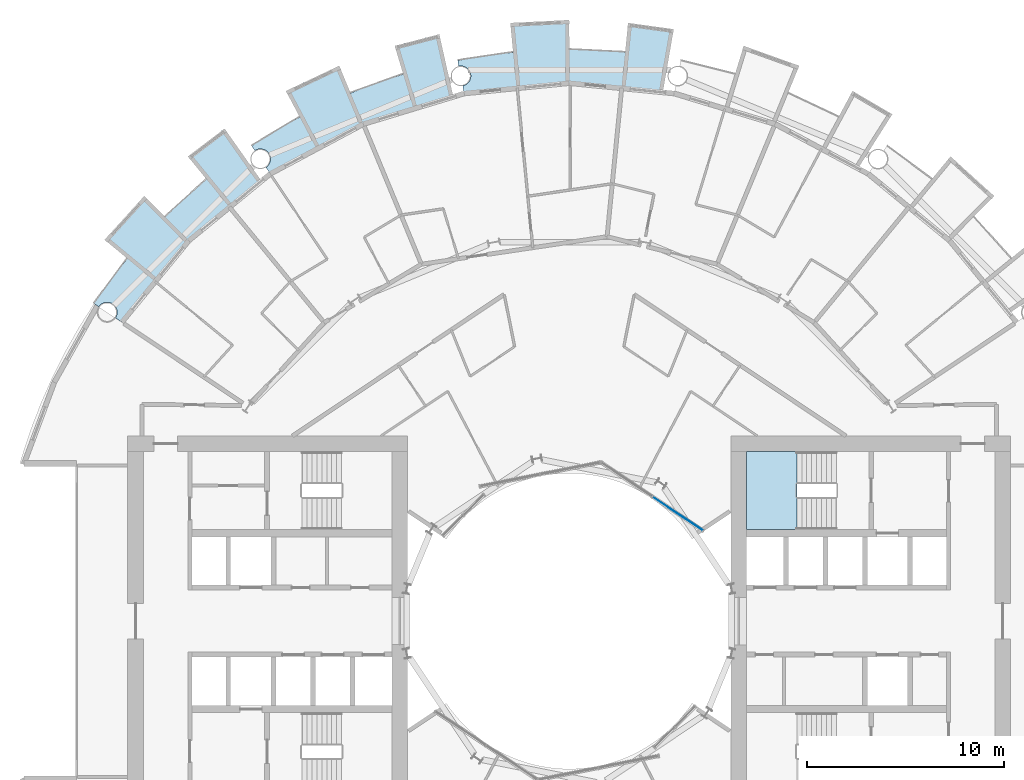
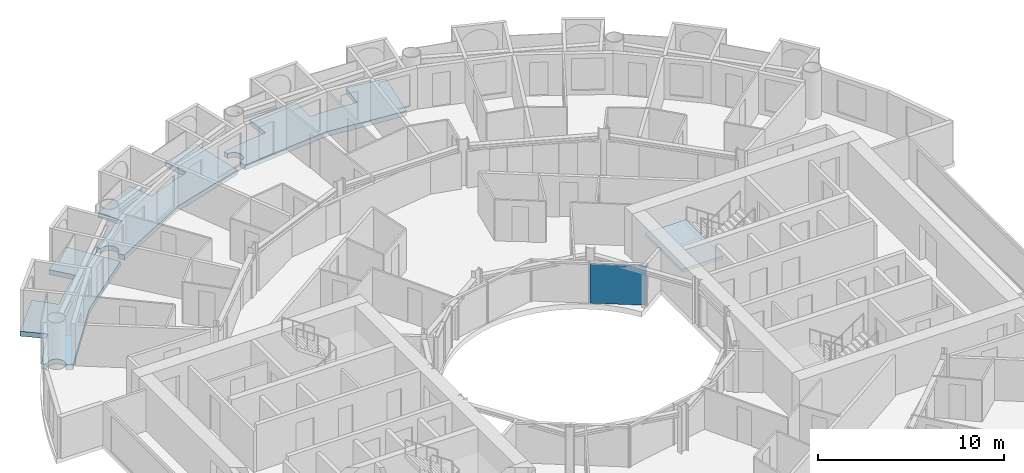
# One storey, part 11 of 26: 4 slabs, 1 plate, 2 elements without a shape of their own.
"""IFC4 building model written with IfcOpenShell, lengths in metres."""

import ifcopenshell
import ifcopenshell.guid

model = None  # the IFC model being written
_history = None  # IfcOwnerHistory: only IFC2X3 demands one
_inside = {}  # id of a spatial element -> (the spatial element, [elements in it])
_under = {}  # id of a project, library or spatial element -> (it, [spatial elements below it])
_declared = {}  # id of a project -> (the project, [libraries it declares])
_typed = {}  # id of a type object -> (the type object, [elements of that type])
_made_of = {}  # id of a material, layer set ... -> (it, [elements and type objects made of it])


def new_model(schema):
    """Start an empty IFC model of exactly this schema.

    Asked for "IFC4X3", IfcOpenShell would pick the latest addendum, in which some entities
    have other attributes; the version numbers below select the first issue.
    IFC2X3 requires an IfcOwnerHistory on every rooted entity: one is made here for all.
    """
    global model, _history
    if schema == "IFC4X3":
        model = ifcopenshell.file(schema_version=(4, 3, 0, 0))
    else:
        model = ifcopenshell.file(schema=schema)
    _inside.clear()
    _under.clear()
    _declared.clear()
    _typed.clear()
    _made_of.clear()
    _history = None
    if model.schema == "IFC2X3":
        org = make("IfcOrganization", Name="unknown")
        user = make(
            "IfcPersonAndOrganization",
            ThePerson=make("IfcPerson", FamilyName="unknown"),
            TheOrganization=org,
        )
        app = make(
            "IfcApplication",
            ApplicationDeveloper=org,
            Version="unknown",
            ApplicationFullName="unknown",
            ApplicationIdentifier="unknown",
        )
        _history = make(
            "IfcOwnerHistory",
            OwningUser=user,
            OwningApplication=app,
            ChangeAction="ADDED",
            CreationDate=0,
        )
    return model


def make(cls, **values):
    """One entity of the class cls with the attributes given. An attribute that is None is left unset."""
    return model.create_entity(
        cls, **{name: value for name, value in values.items() if value is not None}
    )


def rooted(cls, **values):
    """An entity with a GlobalId (a new one), such as an element, a storey or a relation."""
    return make(cls, GlobalId=ifcopenshell.guid.new(), OwnerHistory=_history, **values)


def si_unit(unit_type, name, prefix=None):
    """IfcSIUnit, for example si_unit("LENGTHUNIT", "METRE", prefix="MILLI")."""
    return make("IfcSIUnit", UnitType=unit_type, Prefix=prefix, Name=name)


def assignment(units):
    """IfcUnitAssignment: the units of a project."""
    return None if units is None else make("IfcUnitAssignment", Units=units)


def point(xyz):
    """IfcCartesianPoint."""
    return None if xyz is None else make("IfcCartesianPoint", Coordinates=xyz)


def direction(xyz):
    """IfcDirection."""
    return None if xyz is None else make("IfcDirection", DirectionRatios=xyz)


def frame(location, z_axis=None, x_axis=None):
    """IfcAxis2Placement3D, a coordinate frame: its origin and axes. An axis left out is left unset."""
    return make(
        "IfcAxis2Placement3D",
        Location=point(location),
        Axis=direction(z_axis),
        RefDirection=direction(x_axis),
    )


def frame_2d(location, x_axis=None):
    """IfcAxis2Placement2D, a coordinate frame in the plane: its origin and x axis."""
    return make(
        "IfcAxis2Placement2D", Location=point(location), RefDirection=direction(x_axis)
    )


def origin():
    """The frame at (0, 0, 0) with its axes left unset."""
    return frame((0.0, 0.0, 0.0))


def origin_2d():
    """The frame at (0, 0) in the plane with its x axis left unset."""
    return frame_2d((0.0, 0.0))


def place(relative_to, where):
    """IfcLocalPlacement: puts the frame where relative to a parent placement (None: the world)."""
    return make(
        "IfcLocalPlacement", PlacementRelTo=relative_to, RelativePlacement=where
    )


def context(
    kind, dimensions, precision=None, world=None, true_north=None, identifier=None
):
    """IfcGeometricRepresentationContext, for example the 3D "Model" context."""
    return make(
        "IfcGeometricRepresentationContext",
        ContextIdentifier=identifier,
        ContextType=kind,
        CoordinateSpaceDimension=dimensions,
        Precision=precision,
        WorldCoordinateSystem=world,
        TrueNorth=true_north,
    )


def subcontext(parent, identifier, kind, view, scale=None):
    """IfcGeometricRepresentationSubContext, for example "Body" below "Model"."""
    return make(
        "IfcGeometricRepresentationSubContext",
        ContextIdentifier=identifier,
        ContextType=kind,
        ParentContext=parent,
        TargetScale=scale,
        TargetView=view,
    )


def project(units=None, contexts=None):
    """IfcProject with its units and contexts."""
    return rooted(
        "IfcProject",
        Name="project",
        RepresentationContexts=contexts,
        UnitsInContext=assignment(units),
    )


def spatial(cls, under=None, at=None, **own):
    """A site, building, storey or space (cls), placed at a placement, below another one or the project."""
    s = rooted(cls, ObjectPlacement=at, **own)
    if under is not None:
        _under.setdefault(under.id(), (under, []))[1].append(s)
    return s


def polyline(points):
    """IfcPolyline through the points."""
    return make("IfcPolyline", Points=[point(p) for p in points])


def profile(cls, at=None, kind="AREA", **sizes):
    """A parametric profile (cls). Its sizes go by their IFC names, for example OverallWidth=200.0."""
    return make(cls, ProfileType=kind, Position=at, **sizes)


def rectangle(**sizes):
    """IfcRectangleProfileDef."""
    return profile("IfcRectangleProfileDef", **sizes)


def outline(outer, holes=None, kind="AREA"):
    """IfcArbitraryClosedProfileDef: a profile drawn as a closed curve; with holes, ...WithVoids."""
    if holes is None:
        return make("IfcArbitraryClosedProfileDef", ProfileType=kind, OuterCurve=outer)
    return make(
        "IfcArbitraryProfileDefWithVoids",
        ProfileType=kind,
        OuterCurve=outer,
        InnerCurves=holes,
    )


def extrude(swept, where, along, depth):
    """IfcExtrudedAreaSolid: the profile swept, set in the frame where, extruded along a direction by depth."""
    return make(
        "IfcExtrudedAreaSolid",
        SweptArea=swept,
        Position=where,
        ExtrudedDirection=direction(along),
        Depth=depth,
    )


def shape(context_of_items, identifier, shape_type, items):
    """IfcShapeRepresentation: the items that make up one representation, for example the "Body"."""
    return make(
        "IfcShapeRepresentation",
        ContextOfItems=context_of_items,
        RepresentationIdentifier=identifier,
        RepresentationType=shape_type,
        Items=items,
    )


def material(Name=None, Category=None):
    """IfcMaterial."""
    return make("IfcMaterial", Name=Name, Category=Category)


def layer(
    of_material, thickness, ventilated=None, Name=None, Category=None, Priority=None
):
    """IfcMaterialLayer: one layer of a wall or slab, of a material (None: an air gap)."""
    return make(
        "IfcMaterialLayer",
        Material=of_material,
        LayerThickness=thickness,
        IsVentilated=ventilated,
        Name=Name,
        Category=Category,
        Priority=Priority,
    )


def layer_set(layers, Name=None):
    """IfcMaterialLayerSet."""
    return make("IfcMaterialLayerSet", MaterialLayers=layers, LayerSetName=Name)


def made_of(thing, what):
    """Note that an element or type object is made of a material, layer set ...; save() writes the relation."""
    if what is not None:
        _made_of.setdefault(what.id(), (what, []))[1].append(thing)
    return thing


def type_object(cls, material=None, **own):
    """A type object (cls), such as IfcWallType, which elements share."""
    return made_of(rooted(cls, **own), material)


def element(
    cls,
    number,
    at=None,
    inside=None,
    cuts=None,
    type_object=None,
    material=None,
    context=None,
    identifier="Body",
    shape_type=None,
    held_by="IfcProductDefinitionShape",
    body=None,
    shapes=None,
    **own,
):
    """One element of the class cls, such as IfcWall. Its Tag is "e" and its number.

    at: its placement. inside: the storey or other place that contains it. cuts: it is an
    opening in that element (IfcRelVoidsElement). A single representation is given by context,
    identifier, shape_type and body (its items); several are given by shapes. held_by: the class
    of the entity that holds the representations. save() writes the other relations.
    """
    e = rooted(cls, Tag="e%d" % number, ObjectPlacement=at, **own)
    if body is not None:
        shapes = [shape(context, identifier, shape_type, body)]
    if shapes is not None:
        e.Representation = make(held_by, Representations=shapes)
    if inside is not None:
        _inside.setdefault(inside.id(), (inside, []))[1].append(e)
    if cuts is not None:
        rooted(
            "IfcRelVoidsElement", RelatingBuildingElement=cuts, RelatedOpeningElement=e
        )
    if type_object is not None:
        _typed.setdefault(type_object.id(), (type_object, []))[1].append(e)
    return made_of(e, material)


def aggregate(whole, parts):
    """IfcRelAggregates: a whole, such as a stair, and the parts it consists of."""
    return rooted("IfcRelAggregates", RelatingObject=whole, RelatedObjects=parts)


def save(model, path):
    """Write the relations noted so far, then the file.

    IfcRelAggregates (storeys below a building ...), IfcRelContainedInSpatialStructure (elements
    in a storey), IfcRelDefinesByType, IfcRelAssociatesMaterial and IfcRelDeclares: one each for
    every whole, place, type object, material and project.
    """
    for whole, parts in _under.values():
        aggregate(whole, parts)
    for where, things in _inside.values():
        rooted(
            "IfcRelContainedInSpatialStructure",
            RelatedElements=things,
            RelatingStructure=where,
        )
    for kind, things in _typed.values():
        rooted("IfcRelDefinesByType", RelatedObjects=things, RelatingType=kind)
    for what, things in _made_of.values():
        rooted("IfcRelAssociatesMaterial", RelatedObjects=things, RelatingMaterial=what)
    for by, libraries in _declared.values():
        rooted("IfcRelDeclares", RelatingContext=by, RelatedDefinitions=libraries)
    model.write(path)


model = new_model("IFC4")

# Units and contexts
model_context = context("Model", 3, precision=1e-05, world=origin(), true_north=direction((0.0, 1.0)))
body_context = subcontext(model_context, "Body", "Model", "MODEL_VIEW")
ifc_project = project(units=[si_unit("LENGTHUNIT", "METRE"), si_unit("AREAUNIT", "SQUARE_METRE"), si_unit("VOLUMEUNIT", "CUBIC_METRE"), si_unit("PLANEANGLEUNIT", "RADIAN"), si_unit("MASSUNIT", "GRAM", prefix="KILO")], contexts=[model_context])

# Site, building, storey
site_placement = place(None, origin())
site = spatial("IfcSite", under=ifc_project, at=site_placement, CompositionType="ELEMENT")
building_placement = place(site_placement, origin())
building = spatial("IfcBuilding", under=site, at=building_placement, Name="Maasbend Ring Residences", CompositionType="ELEMENT")
storey_placement = place(building_placement, frame((0.0, 0.0, 28.89990234375)))
storey = spatial("IfcBuildingStorey", under=building, at=storey_placement, Name="L07", CompositionType="ELEMENT", Elevation=28.89990234375)

# Stair, slab
ifc_material_1 = material(Name="Concrete C40/50", Category="concrete")
stair_type = type_object("IfcStairType", Name="CORE STAIR 18 RISERS", PredefinedType="HALF_TURN_STAIR", material=ifc_material_1)
stair_placement = place(storey_placement, origin())
stair = element("IfcStair", 1, at=stair_placement, inside=storey, type_object=stair_type, Name="L07 Exit stair ST-E1", PredefinedType="HALF_TURN_STAIR")
ifc_material_2 = material(Name="Concrete C40/50", Category="concrete")
ifc_layer_1 = layer(ifc_material_2, 0.199951171875)
ifc_layer_set_1 = layer_set([ifc_layer_1], Name="Concrete C40/50")
slab_type_1 = type_object("IfcSlabType", Name="CORE STAIR LANDING 200", PredefinedType="LANDING", material=ifc_layer_set_1)
slab_1_placement = place(storey_placement, frame((0.0, 0.0, 1.3251953125)))
slab_1 = element("IfcSlab", 2, at=slab_1_placement, type_object=slab_type_1, Name="ST-E1 landing 1", PredefinedType="LANDING", context=body_context, shape_type="SweptSolid", body=[
    extrude(outline(polyline([(11.550048828125, 8.60009765625), (9.0, 8.60009765625), (9.0, 4.64990234375), (11.550048828125, 4.64990234375), (11.550048828125, 8.60009765625)])), origin(), (0.0, 0.0, 1.0), 0.199951171875),
])
aggregate(stair, [slab_1])

# Curtain wall, plate
ifc_material_3 = material(Name="Aluminium and clear glass", Category="aluminium")
ifc_layer_2 = layer(ifc_material_3, 0.179931640625)
ifc_layer_set_2 = layer_set([ifc_layer_2], Name="CW-W")
curtain_wall_type = type_object("IfcCurtainWallType", Name="CW-W", PredefinedType="NOTDEFINED", material=ifc_layer_set_2)
curtain_wall_placement = place(storey_placement, origin())
curtain_wall = element("IfcCurtainWall", 3, at=curtain_wall_placement, inside=storey, type_object=curtain_wall_type, Name="Well curtain wall N1", PredefinedType="NOTDEFINED")
ifc_material_4 = material(Name="Glass clear laminated", Category="glass")
ifc_layer_3 = layer(ifc_material_4, 0.031982421875)
ifc_layer_set_3 = layer_set([ifc_layer_3], Name="CWP-W")
plate_type = type_object("IfcPlateType", Name="CWP-W", PredefinedType="CURTAIN_PANEL", material=ifc_layer_set_3)
plate_placement = place(storey_placement, frame((5.51123046875, 5.44580078125, 0.0), z_axis=(0.0, 0.0, 1.0), x_axis=(-0.831469612303, 0.55557023302, 0.0)))
plate = element("IfcPlate", 4, at=plate_placement, type_object=plate_type, Name="Glass panel well face", PredefinedType="CURTAIN_PANEL", context=body_context, shape_type="SweptSolid", body=[
    extrude(rectangle(XDim=3.053955078125, YDim=0.031982421875, at=origin_2d()), origin(), (0.0, 0.0, 1.0), 2.580078125),
])
aggregate(curtain_wall, [plate])

# Slabs
ifc_material_5 = material(Name="Concrete C40/50", Category="concrete")
ifc_layer_4 = layer(ifc_material_5, 0.199951171875)
ifc_layer_set_4 = layer_set([ifc_layer_4], Name="Concrete C40/50")
slab_type_2 = type_object("IfcSlabType", Name="SL-LOGGIA", PredefinedType="FLOOR", material=ifc_layer_set_4)
slab_2_placement = place(storey_placement, frame((0.0, 0.0, -0.349853515625)))
element("IfcSlab", 5, at=slab_2_placement, inside=storey, type_object=slab_type_2, Name="Loggia floor 1", PredefinedType="FLOOR", context=body_context, shape_type="SweptSolid", body=[
    extrude(outline(polyline([(-14.5, 25.114990234375), (-13.6708984375, 25.574951171875), (-13.6708984375, 25.575927734375), (-13.6708984375, 25.575927734375), (-13.6708984375, 25.575927734375), (-13.6708984375, 25.575927734375), (-13.6708984375, 25.575927734375), (-13.6708984375, 25.575927734375), (-13.6708984375, 25.575927734375), (-13.6708984375, 25.575927734375), (-13.6708984375, 25.575927734375), (-13.6708984375, 25.575927734375), (-13.6708984375, 25.575927734375), (-13.6708984375, 25.575927734375), (-13.6708984375, 25.575927734375), (-13.6708984375, 25.575927734375), (-13.6708984375, 25.575927734375), (-13.6708984375, 25.575927734375), (-14.3779296875, 26.89892578125), (-14.3779296875, 26.89892578125), (-14.3779296875, 26.89892578125), (-11.672119140625, 28.177978515625), (-11.672119140625, 28.177978515625), (-11.672119140625, 28.177978515625), (-11.097900390625, 26.79296875), (-11.097900390625, 26.79296875), (-11.097900390625, 26.79296875), (-11.097900390625, 26.79296875), (-11.097900390625, 26.79296875), (-11.097900390625, 26.79296875), (-11.097900390625, 26.79296875), (-11.097900390625, 26.79296875), (-11.097900390625, 26.79296875), (-11.097900390625, 26.79296875), (-11.097900390625, 26.79296875), (-11.097900390625, 26.79296875), (-11.097900390625, 26.79296875), (-11.097900390625, 26.79296875), (-11.096923828125, 26.79296875), (-11.096923828125, 26.79296875), (-11.096923828125, 26.79296875), (-10.215087890625, 27.14111328125), (-10.215087890625, 27.14111328125), (-9.322021484375, 27.4609375), (-9.322021484375, 27.4609375), (-8.4189453125, 27.7509765625), (-8.4189453125, 27.7509765625), (-8.4189453125, 27.7509765625), (-8.4189453125, 27.7509765625), (-8.4189453125, 27.7509765625), (-8.4189453125, 27.7509765625), (-8.41796875, 27.7509765625), (-8.41796875, 27.7509765625), (-8.41796875, 27.7509765625), (-8.41796875, 27.7509765625), (-8.41796875, 27.7509765625), (-8.41796875, 27.751953125), (-8.41796875, 27.751953125), (-8.41796875, 27.751953125), (-8.41796875, 27.751953125), (-8.41796875, 27.751953125), (-8.41796875, 27.751953125), (-8.85400390625, 29.18701171875), (-8.85400390625, 29.18701171875), (-8.85400390625, 29.18701171875), (-6.593994140625, 29.779052734375), (-6.593994140625, 29.779052734375), (-6.593994140625, 29.779052734375), (-5.89111328125, 26.60400390625), (-5.89111328125, 26.60400390625), (-5.89111328125, 26.60400390625), (-7.886962890625, 25.9990234375), (-10.447021484375, 25.221923828125), (-10.447021484375, 25.221923828125), (-10.447021484375, 25.221923828125), (-12.806884765625, 23.9609375), (-15.1669921875, 22.698974609375), (-15.1669921875, 22.698974609375), (-15.1669921875, 22.698974609375), (-15.385009765625, 23.02490234375), (-15.375, 23.031982421875), (-15.364013671875, 23.0390625), (-15.35498046875, 23.047119140625), (-15.344970703125, 23.054931640625), (-15.3349609375, 23.06298828125), (-15.325927734375, 23.071044921875), (-15.31689453125, 23.0791015625), (-15.30810546875, 23.087890625), (-15.299072265625, 23.096923828125), (-15.291015625, 23.10595703125), (-15.281982421875, 23.115966796875), (-15.27392578125, 23.125), (-15.26708984375, 23.135009765625), (-15.259033203125, 23.14501953125), (-15.251953125, 23.155029296875), (-15.2451171875, 23.1650390625), (-15.238037109375, 23.176025390625), (-15.23095703125, 23.18603515625), (-15.22509765625, 23.197021484375), (-15.218994140625, 23.2080078125), (-15.212890625, 23.218994140625), (-15.2080078125, 23.22998046875), (-15.202880859375, 23.241943359375), (-15.197998046875, 23.2529296875), (-15.193115234375, 23.264892578125), (-15.18896484375, 23.27587890625), (-15.18505859375, 23.2880859375), (-15.180908203125, 23.300048828125), (-15.177978515625, 23.31201171875), (-15.174072265625, 23.323974609375), (-15.1708984375, 23.3359375), (-15.1689453125, 23.347900390625), (-15.1669921875, 23.361083984375), (-15.1650390625, 23.373046875), (-15.1630859375, 23.385009765625), (-15.162109375, 23.39794921875), (-15.159912109375, 23.409912109375), (-15.159912109375, 23.422119140625), (-15.158935546875, 23.43505859375), (-15.158935546875, 23.447021484375), (-15.158935546875, 23.4599609375), (-15.159912109375, 23.471923828125), (-15.159912109375, 23.485107421875), (-15.162109375, 23.4970703125), (-15.1630859375, 23.510009765625), (-15.1650390625, 23.52197265625), (-15.1669921875, 23.533935546875), (-15.1689453125, 23.547119140625), (-15.1708984375, 23.55908203125), (-15.174072265625, 23.571044921875), (-15.177978515625, 23.5830078125), (-15.180908203125, 23.594970703125), (-15.18505859375, 23.60693359375), (-15.18896484375, 23.618896484375), (-15.193115234375, 23.6298828125), (-15.197998046875, 23.64208984375), (-15.202880859375, 23.653076171875), (-15.2080078125, 23.6650390625), (-15.212890625, 23.676025390625), (-15.218994140625, 23.68701171875), (-15.22509765625, 23.697998046875), (-15.23095703125, 23.708984375), (-15.238037109375, 23.718994140625), (-15.2451171875, 23.72998046875), (-15.251953125, 23.739990234375), (-15.259033203125, 23.75), (-15.26708984375, 23.760009765625), (-15.27392578125, 23.77001953125), (-15.281982421875, 23.779052734375), (-15.291015625, 23.7890625), (-15.299072265625, 23.798095703125), (-15.30810546875, 23.806884765625), (-15.31689453125, 23.81494140625), (-15.325927734375, 23.823974609375), (-15.3349609375, 23.83203125), (-15.344970703125, 23.840087890625), (-15.35498046875, 23.847900390625), (-15.364013671875, 23.85498046875), (-15.375, 23.863037109375), (-15.385009765625, 23.8701171875), (-15.39501953125, 23.876953125), (-15.406005859375, 23.883056640625), (-15.4169921875, 23.888916015625), (-15.427978515625, 23.89501953125), (-15.43896484375, 23.90087890625), (-15.449951171875, 23.906982421875), (-15.4609375, 23.912109375), (-15.472900390625, 23.9169921875), (-15.48388671875, 23.9208984375), (-15.49609375, 23.926025390625), (-15.508056640625, 23.929931640625), (-15.52001953125, 23.93408203125), (-15.531982421875, 23.93701171875), (-15.5439453125, 23.93994140625), (-15.555908203125, 23.943115234375), (-15.568115234375, 23.946044921875), (-15.580078125, 23.947998046875), (-15.593017578125, 23.949951171875), (-15.60498046875, 23.951904296875), (-15.616943359375, 23.952880859375), (-15.6298828125, 23.9541015625), (-15.64208984375, 23.955078125), (-15.655029296875, 23.955078125), (-15.6669921875, 23.955078125), (-15.679931640625, 23.955078125), (-15.69189453125, 23.955078125), (-15.7041015625, 23.9541015625), (-15.717041015625, 23.952880859375), (-15.72900390625, 23.951904296875), (-15.741943359375, 23.949951171875), (-15.75390625, 23.947998046875), (-15.76611328125, 23.946044921875), (-15.778076171875, 23.943115234375), (-15.791015625, 23.93994140625), (-15.802978515625, 23.93701171875), (-15.81494140625, 23.93408203125), (-15.825927734375, 23.929931640625), (-15.837890625, 23.926025390625), (-15.85009765625, 23.9208984375), (-15.862060546875, 23.9169921875), (-15.873046875, 23.912109375), (-15.884033203125, 23.906982421875), (-15.89599609375, 23.90087890625), (-15.906982421875, 23.89501953125), (-15.9169921875, 23.888916015625), (-15.927978515625, 23.883056640625), (-15.93896484375, 23.876953125), (-15.948974609375, 23.8701171875), (-16.112060546875, 24.113037109375), (-16.112060546875, 24.113037109375), (-16.112060546875, 24.113037109375), (-15.31396484375, 24.626953125), (-15.31396484375, 24.626953125), (-14.5, 25.114990234375), (-14.5, 25.114990234375)])), origin(), (0.0, 0.0, 1.0), 0.320068359375),
])
slab_3_placement = place(storey_placement, frame((0.0, 0.0, -0.349853515625)))
element("IfcSlab", 6, at=slab_3_placement, inside=storey, type_object=slab_type_2, Name="Loggia floor 3", PredefinedType="FLOOR", context=body_context, shape_type="SweptSolid", body=[
    extrude(outline(polyline([(-3.784912109375, 28.751953125), (-2.843017578125, 28.860107421875), (-2.843017578125, 28.860107421875), (-2.843017578125, 28.860107421875), (-2.843017578125, 28.860107421875), (-2.843017578125, 28.860107421875), (-2.843017578125, 28.860107421875), (-2.843017578125, 28.860107421875), (-2.843017578125, 28.860107421875), (-2.843017578125, 28.860107421875), (-2.843017578125, 28.861083984375), (-2.843017578125, 28.861083984375), (-2.843017578125, 28.861083984375), (-2.843017578125, 28.861083984375), (-2.843017578125, 28.861083984375), (-2.843017578125, 28.861083984375), (-2.843017578125, 28.861083984375), (-2.843017578125, 28.861083984375), (-2.989990234375, 30.35302734375), (-2.989990234375, 30.35302734375), (-2.989990234375, 30.35302734375), (0.0, 30.5), (0.0, 30.5), (0.0, 30.5), (0.0, 29.0), (0.0, 29.0), (0.0, 29.0), (0.0, 29.0), (0.0, 29.0), (0.0, 29.0), (0.0, 29.0), (0.0, 29.0), (0.0, 29.0), (0.0, 29.0), (0.0, 29.0), (0.0, 29.0), (0.0, 29.0), (0.0, 29.0), (0.0, 29.0), (0.0, 29.0), (0.0, 29.0), (0.948974609375, 28.98388671875), (0.948974609375, 28.98388671875), (1.89697265625, 28.93798828125), (1.89697265625, 28.93798828125), (2.842041015625, 28.860107421875), (2.842041015625, 28.860107421875), (2.842041015625, 28.860107421875), (2.842041015625, 28.860107421875), (2.842041015625, 28.860107421875), (2.842041015625, 28.860107421875), (2.842041015625, 28.860107421875), (2.842041015625, 28.860107421875), (2.842041015625, 28.861083984375), (2.842041015625, 28.861083984375), (2.842041015625, 28.861083984375), (2.842041015625, 28.861083984375), (2.842041015625, 28.861083984375), (2.843017578125, 28.861083984375), (2.843017578125, 28.861083984375), (2.843017578125, 28.861083984375), (2.843017578125, 28.861083984375), (2.989990234375, 30.35302734375), (2.989990234375, 30.35302734375), (2.989990234375, 30.35302734375), (5.303955078125, 30.034912109375), (5.303955078125, 30.034912109375), (5.303955078125, 30.034912109375), (4.739013671875, 26.8330078125), (4.739013671875, 26.8330078125), (4.739013671875, 26.8330078125), (2.6630859375, 27.0380859375), (0.0, 27.300048828125), (0.0, 27.300048828125), (0.0, 27.300048828125), (-2.6630859375, 27.0380859375), (-5.325927734375, 26.77490234375), (-5.325927734375, 26.77490234375), (-5.325927734375, 26.77490234375), (-5.402099609375, 27.159912109375), (-5.402099609375, 27.159912109375), (-5.389892578125, 27.162109375), (-5.3779296875, 27.1650390625), (-5.365966796875, 27.1689453125), (-5.35400390625, 27.172119140625), (-5.342041015625, 27.176025390625), (-5.330078125, 27.179931640625), (-5.319091796875, 27.18408203125), (-5.306884765625, 27.18896484375), (-5.2958984375, 27.194091796875), (-5.283935546875, 27.198974609375), (-5.27294921875, 27.2041015625), (-5.261962890625, 27.2099609375), (-5.2509765625, 27.216064453125), (-5.239990234375, 27.221923828125), (-5.22998046875, 27.22900390625), (-5.218994140625, 27.236083984375), (-5.208984375, 27.242919921875), (-5.198974609375, 27.25), (-5.18896484375, 27.258056640625), (-5.178955078125, 27.264892578125), (-5.169921875, 27.27294921875), (-5.159912109375, 27.281982421875), (-5.15087890625, 27.2900390625), (-5.14208984375, 27.299072265625), (-5.134033203125, 27.30810546875), (-5.125, 27.31689453125), (-5.116943359375, 27.325927734375), (-5.10888671875, 27.3359375), (-5.10107421875, 27.345947265625), (-5.093017578125, 27.35498046875), (-5.0859375, 27.365966796875), (-5.0791015625, 27.3759765625), (-5.072021484375, 27.385986328125), (-5.06591796875, 27.39697265625), (-5.05908203125, 27.407958984375), (-5.052978515625, 27.4189453125), (-5.048095703125, 27.429931640625), (-5.0419921875, 27.44091796875), (-5.037109375, 27.451904296875), (-5.031982421875, 27.464111328125), (-5.028076171875, 27.47509765625), (-5.02294921875, 27.487060546875), (-5.01904296875, 27.4990234375), (-5.014892578125, 27.510986328125), (-5.011962890625, 27.52294921875), (-5.009033203125, 27.534912109375), (-5.006103515625, 27.547119140625), (-5.0029296875, 27.55908203125), (-5.0009765625, 27.571044921875), (-4.9990234375, 27.583984375), (-4.9970703125, 27.595947265625), (-4.99609375, 27.60791015625), (-4.9951171875, 27.62109375), (-4.993896484375, 27.633056640625), (-4.993896484375, 27.64599609375), (-4.993896484375, 27.657958984375), (-4.993896484375, 27.6708984375), (-4.993896484375, 27.68310546875), (-4.9951171875, 27.695068359375), (-4.99609375, 27.7080078125), (-4.9970703125, 27.719970703125), (-4.9990234375, 27.73291015625), (-5.0009765625, 27.7451171875), (-5.0029296875, 27.757080078125), (-5.006103515625, 27.76904296875), (-5.009033203125, 27.781982421875), (-5.011962890625, 27.7939453125), (-5.014892578125, 27.805908203125), (-5.01904296875, 27.81689453125), (-5.02294921875, 27.8291015625), (-5.028076171875, 27.841064453125), (-5.031982421875, 27.85302734375), (-5.037109375, 27.864013671875), (-5.0419921875, 27.875), (-5.048095703125, 27.886962890625), (-5.052978515625, 27.89794921875), (-5.05908203125, 27.907958984375), (-5.06591796875, 27.9189453125), (-5.072021484375, 27.929931640625), (-5.0791015625, 27.93994140625), (-5.0859375, 27.950927734375), (-5.093017578125, 27.9609375), (-5.10107421875, 27.970947265625), (-5.10888671875, 27.97998046875), (-5.116943359375, 27.989990234375), (-5.125, 27.9990234375), (-5.134033203125, 28.008056640625), (-5.14208984375, 28.01708984375), (-5.15087890625, 28.02587890625), (-5.159912109375, 28.034912109375), (-5.169921875, 28.04296875), (-5.178955078125, 28.051025390625), (-5.18896484375, 28.05908203125), (-5.198974609375, 28.06591796875), (-5.208984375, 28.072998046875), (-5.218994140625, 28.080078125), (-5.22998046875, 28.0869140625), (-5.239990234375, 28.093994140625), (-5.2509765625, 28.10009765625), (-5.261962890625, 28.10595703125), (-5.27294921875, 28.112060546875), (-5.283935546875, 28.116943359375), (-5.2958984375, 28.123046875), (-5.306884765625, 28.126953125), (-5.319091796875, 28.132080078125), (-5.330078125, 28.135986328125), (-5.342041015625, 28.139892578125), (-5.35400390625, 28.14404296875), (-5.365966796875, 28.14794921875), (-5.3779296875, 28.15087890625), (-5.389892578125, 28.154052734375), (-5.402099609375, 28.156005859375), (-5.4150390625, 28.158935546875), (-5.427001953125, 28.160888671875), (-5.43896484375, 28.162109375), (-5.451904296875, 28.1640625), (-5.464111328125, 28.1650390625), (-5.47705078125, 28.1650390625), (-5.489013671875, 28.166015625), (-5.501953125, 28.166015625), (-5.513916015625, 28.166015625), (-5.52587890625, 28.1650390625), (-5.5390625, 28.1650390625), (-5.551025390625, 28.1640625), (-5.56396484375, 28.162109375), (-5.575927734375, 28.160888671875), (-5.587890625, 28.158935546875), (-5.60107421875, 28.156005859375), (-5.60107421875, 28.156005859375), (-5.657958984375, 28.443115234375), (-5.657958984375, 28.443115234375), (-5.657958984375, 28.443115234375), (-4.72412109375, 28.613037109375), (-4.72412109375, 28.613037109375), (-3.784912109375, 28.751953125), (-3.784912109375, 28.751953125)])), origin(), (0.0, 0.0, 1.0), 0.320068359375),
])
slab_4_placement = place(storey_placement, frame((0.0, 0.0, -0.349853515625)))
element("IfcSlab", 7, at=slab_4_placement, inside=storey, type_object=slab_type_2, Name="Loggia floor 5", PredefinedType="FLOOR", context=body_context, shape_type="SweptSolid", body=[
    extrude(outline(polyline([(-23.007080078125, 17.654052734375), (-22.41796875, 18.39697265625), (-22.41796875, 18.39697265625), (-22.41796875, 18.39697265625), (-22.41796875, 18.39697265625), (-22.41796875, 18.39697265625), (-22.41796875, 18.39697265625), (-22.41796875, 18.39697265625), (-22.41796875, 18.39697265625), (-22.41796875, 18.39697265625), (-22.41796875, 18.39697265625), (-22.41796875, 18.39697265625), (-22.41796875, 18.39794921875), (-22.41796875, 18.39794921875), (-22.41796875, 18.39794921875), (-22.41796875, 18.39794921875), (-22.41796875, 18.39794921875), (-22.41796875, 18.39794921875), (-23.576904296875, 19.34912109375), (-23.576904296875, 19.34912109375), (-23.576904296875, 19.34912109375), (-21.56689453125, 21.56689453125), (-21.56689453125, 21.56689453125), (-21.56689453125, 21.56689453125), (-20.506103515625, 20.506103515625), (-20.506103515625, 20.506103515625), (-20.506103515625, 20.506103515625), (-20.506103515625, 20.506103515625), (-20.506103515625, 20.506103515625), (-20.506103515625, 20.506103515625), (-20.506103515625, 20.506103515625), (-20.506103515625, 20.506103515625), (-20.506103515625, 20.506103515625), (-20.506103515625, 20.506103515625), (-20.506103515625, 20.506103515625), (-20.506103515625, 20.506103515625), (-20.506103515625, 20.506103515625), (-20.506103515625, 20.506103515625), (-20.506103515625, 20.506103515625), (-20.506103515625, 20.506103515625), (-20.506103515625, 20.506103515625), (-19.823974609375, 21.166015625), (-19.823974609375, 21.166015625), (-19.12109375, 21.802978515625), (-19.12109375, 21.802978515625), (-18.39794921875, 22.4169921875), (-18.39794921875, 22.4169921875), (-18.39794921875, 22.4169921875), (-18.39794921875, 22.4169921875), (-18.39794921875, 22.4169921875), (-18.39794921875, 22.4169921875), (-18.39794921875, 22.4169921875), (-18.39794921875, 22.4169921875), (-18.39794921875, 22.4169921875), (-18.39794921875, 22.4169921875), (-18.39794921875, 22.4169921875), (-18.39794921875, 22.4169921875), (-18.39794921875, 22.41796875), (-18.39794921875, 22.41796875), (-18.39794921875, 22.41796875), (-18.39794921875, 22.41796875), (-18.39794921875, 22.41796875), (-19.34912109375, 23.576904296875), (-19.34912109375, 23.576904296875), (-19.34912109375, 23.576904296875), (-17.488037109375, 24.989013671875), (-17.488037109375, 24.989013671875), (-17.488037109375, 24.989013671875), (-15.623046875, 22.324951171875), (-15.623046875, 22.324951171875), (-15.623046875, 22.324951171875), (-17.236083984375, 21.001953125), (-19.303955078125, 19.303955078125), (-19.303955078125, 19.303955078125), (-19.303955078125, 19.303955078125), (-21.001953125, 17.236083984375), (-22.698974609375, 15.1669921875), (-22.698974609375, 15.1669921875), (-22.698974609375, 15.1669921875), (-23.02490234375, 15.385009765625), (-23.02490234375, 15.385009765625), (-23.01806640625, 15.39501953125), (-23.011962890625, 15.406005859375), (-23.0048828125, 15.4169921875), (-22.9990234375, 15.427978515625), (-22.993896484375, 15.43896484375), (-22.988037109375, 15.449951171875), (-22.98291015625, 15.4609375), (-22.97802734375, 15.472900390625), (-22.972900390625, 15.48388671875), (-22.968994140625, 15.49609375), (-22.965087890625, 15.508056640625), (-22.9609375, 15.52001953125), (-22.9580078125, 15.531982421875), (-22.955078125, 15.5439453125), (-22.951904296875, 15.555908203125), (-22.948974609375, 15.568115234375), (-22.947021484375, 15.580078125), (-22.945068359375, 15.593017578125), (-22.943115234375, 15.60498046875), (-22.94189453125, 15.616943359375), (-22.94091796875, 15.6298828125), (-22.93994140625, 15.64208984375), (-22.93994140625, 15.655029296875), (-22.93896484375, 15.6669921875), (-22.93994140625, 15.679931640625), (-22.93994140625, 15.69189453125), (-22.94091796875, 15.7041015625), (-22.94189453125, 15.717041015625), (-22.943115234375, 15.72900390625), (-22.945068359375, 15.741943359375), (-22.947021484375, 15.75390625), (-22.948974609375, 15.76611328125), (-22.951904296875, 15.778076171875), (-22.955078125, 15.791015625), (-22.9580078125, 15.802978515625), (-22.9609375, 15.81494140625), (-22.965087890625, 15.825927734375), (-22.968994140625, 15.837890625), (-22.972900390625, 15.85009765625), (-22.97802734375, 15.862060546875), (-22.98291015625, 15.873046875), (-22.988037109375, 15.884033203125), (-22.993896484375, 15.89599609375), (-22.9990234375, 15.906982421875), (-23.0048828125, 15.9169921875), (-23.011962890625, 15.927978515625), (-23.01806640625, 15.93896484375), (-23.02490234375, 15.948974609375), (-23.031982421875, 15.9599609375), (-23.0390625, 15.969970703125), (-23.047119140625, 15.97998046875), (-23.054931640625, 15.989013671875), (-23.06298828125, 15.9990234375), (-23.071044921875, 16.008056640625), (-23.0791015625, 16.01708984375), (-23.087890625, 16.02587890625), (-23.096923828125, 16.034912109375), (-23.10595703125, 16.0439453125), (-23.115966796875, 16.052001953125), (-23.125, 16.06005859375), (-23.135009765625, 16.068115234375), (-23.14501953125, 16.074951171875), (-23.155029296875, 16.08203125), (-23.1650390625, 16.089111328125), (-23.176025390625, 16.095947265625), (-23.18603515625, 16.10302734375), (-23.197021484375, 16.10888671875), (-23.2080078125, 16.114990234375), (-23.218994140625, 16.12109375), (-23.22998046875, 16.1259765625), (-23.241943359375, 16.132080078125), (-23.2529296875, 16.135986328125), (-23.264892578125, 16.14111328125), (-23.27587890625, 16.14501953125), (-23.2880859375, 16.14892578125), (-23.300048828125, 16.153076171875), (-23.31201171875, 16.156982421875), (-23.323974609375, 16.159912109375), (-23.3359375, 16.1630859375), (-23.347900390625, 16.1650390625), (-23.361083984375, 16.16796875), (-23.373046875, 16.169921875), (-23.385009765625, 16.1708984375), (-23.39794921875, 16.173095703125), (-23.409912109375, 16.174072265625), (-23.422119140625, 16.174072265625), (-23.43505859375, 16.175048828125), (-23.447021484375, 16.175048828125), (-23.4599609375, 16.175048828125), (-23.471923828125, 16.174072265625), (-23.485107421875, 16.174072265625), (-23.4970703125, 16.173095703125), (-23.510009765625, 16.1708984375), (-23.52197265625, 16.169921875), (-23.533935546875, 16.16796875), (-23.547119140625, 16.1650390625), (-23.55908203125, 16.1630859375), (-23.571044921875, 16.159912109375), (-23.5830078125, 16.156982421875), (-23.594970703125, 16.153076171875), (-23.60693359375, 16.14892578125), (-23.618896484375, 16.14501953125), (-23.6298828125, 16.14111328125), (-23.64208984375, 16.135986328125), (-23.653076171875, 16.132080078125), (-23.6650390625, 16.1259765625), (-23.676025390625, 16.12109375), (-23.68701171875, 16.114990234375), (-23.697998046875, 16.10888671875), (-23.708984375, 16.10302734375), (-23.718994140625, 16.095947265625), (-23.72998046875, 16.089111328125), (-23.739990234375, 16.08203125), (-23.75, 16.074951171875), (-23.760009765625, 16.068115234375), (-23.77001953125, 16.06005859375), (-23.779052734375, 16.052001953125), (-23.7890625, 16.0439453125), (-23.798095703125, 16.034912109375), (-23.806884765625, 16.02587890625), (-23.81494140625, 16.01708984375), (-23.823974609375, 16.008056640625), (-23.83203125, 15.9990234375), (-23.840087890625, 15.989013671875), (-23.847900390625, 15.97998046875), (-23.85498046875, 15.969970703125), (-23.863037109375, 15.9599609375), (-23.8701171875, 15.948974609375), (-23.8701171875, 15.948974609375), (-24.113037109375, 16.112060546875), (-24.113037109375, 16.112060546875), (-24.113037109375, 16.112060546875), (-23.572998046875, 16.89208984375), (-23.572998046875, 16.89208984375), (-23.007080078125, 17.654052734375), (-23.007080078125, 17.654052734375)])), origin(), (0.0, 0.0, 1.0), 0.320068359375),
])

save(model, "model.ifc")
